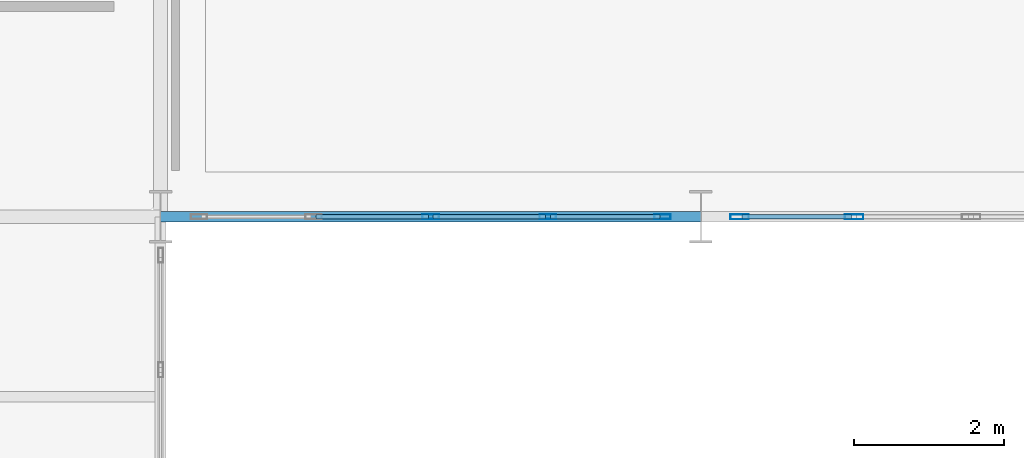
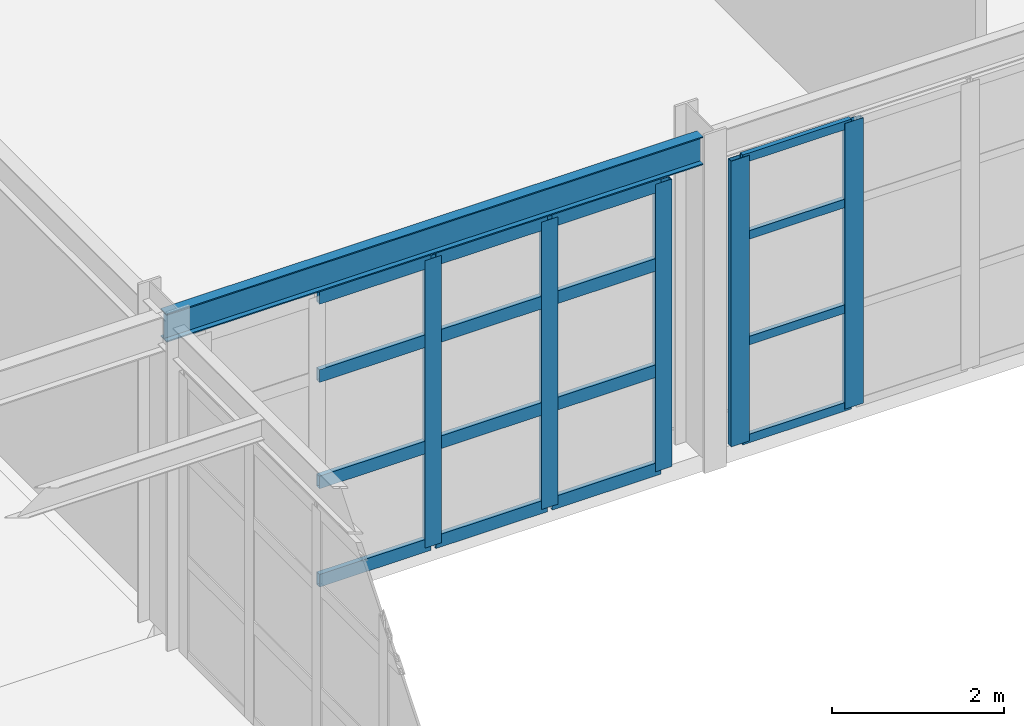
# One storey, part 29 of 126: 21 members, 1 beam, 2 elements without a shape of their own.
"""IFC4 building model written with IfcOpenShell, lengths in metres."""

from ifc_helpers import new_model, si_unit, direction, frame, origin, origin_2d, place, context, subcontext, project, spatial, hollow_rectangle, i_section, extrude, material, layer, layer_set, material_profile, profile_set, type_object, element, aggregate, save


model = new_model("IFC4")

# Units and contexts
model_context = context("Model", 3, precision=1e-05, world=origin(), true_north=direction((0.0, 1.0)))
body_context = subcontext(model_context, "Body", "Model", "MODEL_VIEW")
ifc_project = project(units=[si_unit("LENGTHUNIT", "METRE"), si_unit("AREAUNIT", "SQUARE_METRE"), si_unit("VOLUMEUNIT", "CUBIC_METRE"), si_unit("PLANEANGLEUNIT", "RADIAN"), si_unit("MASSUNIT", "GRAM", prefix="KILO")], contexts=[model_context])

# Site, building, storey
site_placement = place(None, origin())
site = spatial("IfcSite", under=ifc_project, at=site_placement, CompositionType="ELEMENT")
building_placement = place(site_placement, origin())
building = spatial("IfcBuilding", under=site, at=building_placement, Name="Solvadek Multi-Sports Hall", CompositionType="ELEMENT")
storey_placement = place(building_placement, frame((0.0, 0.0, 9.60009765625)))
storey = spatial("IfcBuildingStorey", under=building, at=storey_placement, Name="L02", CompositionType="ELEMENT", Elevation=9.60009765625)

# Curtain wall, members
ifc_material_1 = material(Name="Anodised aluminium", Category="aluminium")
ifc_layer_1 = layer(ifc_material_1, 0.159912109375, Name="Anodised aluminium")
ifc_layer_set_1 = layer_set([ifc_layer_1], Name="Anodised aluminium")
curtain_wall_type_1 = type_object("IfcCurtainWallType", Name="ENV-CW-624X408", PredefinedType="USERDEFINED", material=ifc_layer_set_1)
curtain_wall_1_placement = place(storey_placement, origin())
curtain_wall_1 = element("IfcCurtainWall", 1, at=curtain_wall_1_placement, inside=storey, type_object=curtain_wall_type_1, Name="L02 Perimeter Bay Curtain Wall #157", ObjectType="CURTAIN WALL", PredefinedType="USERDEFINED")
ifc_material_profile_1 = material_profile(ifc_material_1, hollow_rectangle(XDim=0.06494140625, YDim=0.219970703125, WallThickness=0.0048828125, at=origin_2d()), Name="ALU-M 220x65x5")
ifc_profile_set_1 = profile_set([ifc_material_profile_1], Name="Anodised aluminium")
member_type_1 = type_object("IfcMemberType", Name="ENV-CWM-04", PredefinedType="MULLION", material=ifc_profile_set_1)
member_1_placement = place(storey_placement, frame((25.199951171875, 49.199951171875, 0.0), z_axis=(0.0, 0.0, 1.0), x_axis=(0.0, 1.0, 0.0)))
member_1 = element("IfcMember", 2, at=member_1_placement, type_object=member_type_1, Name="CW-40 mullion 3", PredefinedType="MULLION", context=body_context, shape_type="SweptSolid", body=[
    extrude(hollow_rectangle(XDim=0.06494140625, YDim=0.219970703125, WallThickness=0.0048828125, at=origin_2d()), origin(), (0.0, 0.0, 1.0), 4.074951171875),
])
member_2_placement = place(storey_placement, frame((26.760009765625, 49.199951171875, 0.0), z_axis=(0.0, 0.0, 1.0), x_axis=(0.0, 1.0, 0.0)))
member_2 = element("IfcMember", 3, at=member_2_placement, type_object=member_type_1, Name="CW-40 mullion 4", PredefinedType="MULLION", context=body_context, shape_type="SweptSolid", body=[
    extrude(hollow_rectangle(XDim=0.06494140625, YDim=0.219970703125, WallThickness=0.0048828125, at=origin_2d()), origin(), (0.0, 0.0, 1.0), 4.074951171875),
])
member_3_placement = place(storey_placement, frame((28.28759765625, 49.199951171875, 0.0), z_axis=(0.0, 0.0, 1.0), x_axis=(0.0, 1.0, 0.0)))
member_3 = element("IfcMember", 4, at=member_3_placement, type_object=member_type_1, Name="CW-40 mullion 5", PredefinedType="MULLION", context=body_context, shape_type="SweptSolid", body=[
    extrude(hollow_rectangle(XDim=0.06494140625, YDim=0.219970703125, WallThickness=0.0048828125, at=origin_2d()), origin(), (0.0, 0.0, 1.0), 4.074951171875),
])

ifc_layer_2 = layer(ifc_material_1, 0.159912109375, Name="Anodised aluminium")
ifc_layer_set_2 = layer_set([ifc_layer_2], Name="Anodised aluminium")
curtain_wall_type_2 = type_object("IfcCurtainWallType", Name="ENV-CW-624X405", PredefinedType="USERDEFINED", material=ifc_layer_set_2)
curtain_wall_2_placement = place(storey_placement, origin())
curtain_wall_2 = element("IfcCurtainWall", 5, at=curtain_wall_2_placement, inside=storey, type_object=curtain_wall_type_2, Name="L02 Perimeter Bay Curtain Wall #163", ObjectType="CURTAIN WALL", PredefinedType="USERDEFINED")
ifc_material_profile_2 = material_profile(ifc_material_1, hollow_rectangle(XDim=0.070068359375, YDim=0.25, WallThickness=0.0048828125, at=origin_2d()), Name="ALU-M 250x70x5")
ifc_profile_set_2 = profile_set([ifc_material_profile_2], Name="Anodised aluminium")
member_type_2 = type_object("IfcMemberType", Name="ENV-CWM-05", PredefinedType="MULLION", material=ifc_profile_set_2)
member_4_placement = place(storey_placement, frame((29.31494140625, 49.199951171875, 0.0), z_axis=(0.0, 0.0, 1.0), x_axis=(0.0, 1.0, 0.0)))
member_4 = element("IfcMember", 6, at=member_4_placement, type_object=member_type_2, Name="CW-52 mullion 1", PredefinedType="MULLION", context=body_context, shape_type="SweptSolid", body=[
    extrude(hollow_rectangle(XDim=0.070068359375, YDim=0.25, WallThickness=0.0048828125, at=origin_2d()), origin(), (0.0, 0.0, 1.0), 4.0498046875),
])
member_5_placement = place(storey_placement, frame((30.840087890625, 49.199951171875, 0.0), z_axis=(0.0, 0.0, 1.0), x_axis=(0.0, 1.0, 0.0)))
member_5 = element("IfcMember", 7, at=member_5_placement, type_object=member_type_2, Name="CW-52 mullion 2", PredefinedType="MULLION", context=body_context, shape_type="SweptSolid", body=[
    extrude(hollow_rectangle(XDim=0.070068359375, YDim=0.25, WallThickness=0.0048828125, at=origin_2d()), origin(), (0.0, 0.0, 1.0), 4.0498046875),
])
ifc_material_profile_3 = material_profile(ifc_material_1, hollow_rectangle(XDim=0.06005859375, YDim=0.1201171875, WallThickness=0.00390625, at=origin_2d()), Name="ALU-T 120x60x4")
ifc_profile_set_3 = profile_set([ifc_material_profile_3], Name="Anodised aluminium")
member_type_3 = type_object("IfcMemberType", Name="ENV-CWT-01", PredefinedType="USERDEFINED", material=ifc_profile_set_3)
member_6_placement = place(storey_placement, frame((29.35009765625, 49.199951171875, 0.02978515625), z_axis=(1.0, 0.0, 0.0), x_axis=(0.0, 1.0, 0.0)))
member_6 = element("IfcMember", 8, at=member_6_placement, type_object=member_type_3, Name="CW-52 transom 1.1", ObjectType="TRANSOM", PredefinedType="USERDEFINED", context=body_context, shape_type="SweptSolid", body=[
    extrude(hollow_rectangle(XDim=0.06005859375, YDim=0.1201171875, WallThickness=0.00390625, at=origin_2d()), origin(), (0.0, 0.0, 1.0), 1.454833984375),
])
member_7_placement = place(storey_placement, frame((29.35009765625, 49.199951171875, 1.41796875), z_axis=(1.0, 0.0, 0.0), x_axis=(0.0, 1.0, 0.0)))
member_7 = element("IfcMember", 9, at=member_7_placement, type_object=member_type_3, Name="CW-52 transom 1.2", ObjectType="TRANSOM", PredefinedType="USERDEFINED", context=body_context, shape_type="SweptSolid", body=[
    extrude(hollow_rectangle(XDim=0.06005859375, YDim=0.1201171875, WallThickness=0.00390625, at=origin_2d()), origin(), (0.0, 0.0, 1.0), 1.454833984375),
])
member_8_placement = place(storey_placement, frame((29.35009765625, 49.199951171875, 2.916015625), z_axis=(1.0, 0.0, 0.0), x_axis=(0.0, 1.0, 0.0)))
member_8 = element("IfcMember", 10, at=member_8_placement, type_object=member_type_3, Name="CW-52 transom 1.3", ObjectType="TRANSOM", PredefinedType="USERDEFINED", context=body_context, shape_type="SweptSolid", body=[
    extrude(hollow_rectangle(XDim=0.06005859375, YDim=0.1201171875, WallThickness=0.00390625, at=origin_2d()), origin(), (0.0, 0.0, 1.0), 1.454833984375),
])
member_9_placement = place(storey_placement, frame((29.35009765625, 49.199951171875, 4.02001953125), z_axis=(1.0, 0.0, 0.0), x_axis=(0.0, 1.0, 0.0)))
member_9 = element("IfcMember", 11, at=member_9_placement, type_object=member_type_3, Name="CW-52 transom 1.4", ObjectType="TRANSOM", PredefinedType="USERDEFINED", context=body_context, shape_type="SweptSolid", body=[
    extrude(hollow_rectangle(XDim=0.06005859375, YDim=0.1201171875, WallThickness=0.00390625, at=origin_2d()), origin(), (0.0, 0.0, 1.0), 1.454833984375),
])
aggregate(curtain_wall_2, [member_4, member_5, member_6, member_7, member_8, member_9])

# Member
ifc_material_profile_4 = material_profile(ifc_material_1, hollow_rectangle(XDim=0.06494140625, YDim=0.179931640625, WallThickness=0.0048828125, at=origin_2d()), Name="ALU-T 180x65x5")
ifc_profile_set_4 = profile_set([ifc_material_profile_4], Name="Anodised aluminium")
member_type_4 = type_object("IfcMemberType", Name="ENV-CWT-04", PredefinedType="USERDEFINED", material=ifc_profile_set_4)
member_10_placement = place(storey_placement, frame((23.672607421875, 49.199951171875, 0.032470703125), z_axis=(1.0, 0.0, 0.0), x_axis=(0.0, 1.0, 0.0)))
member_10 = element("IfcMember", 12, at=member_10_placement, type_object=member_type_4, Name="CW-40 transom 2.1", ObjectType="TRANSOM", PredefinedType="USERDEFINED", context=body_context, shape_type="SweptSolid", body=[
    extrude(hollow_rectangle(XDim=0.06494140625, YDim=0.179931640625, WallThickness=0.0048828125, at=origin_2d()), origin(), (0.0, 0.0, 1.0), 1.494873046875),
])

member_11_placement = place(storey_placement, frame((23.672607421875, 49.199951171875, 1.42578125), z_axis=(1.0, 0.0, 0.0), x_axis=(0.0, 1.0, 0.0)))
member_11 = element("IfcMember", 13, at=member_11_placement, type_object=member_type_4, Name="CW-40 transom 2.2", ObjectType="TRANSOM", PredefinedType="USERDEFINED", context=body_context, shape_type="SweptSolid", body=[
    extrude(hollow_rectangle(XDim=0.06494140625, YDim=0.179931640625, WallThickness=0.0048828125, at=origin_2d()), origin(), (0.0, 0.0, 1.0), 1.494873046875),
])

member_12_placement = place(storey_placement, frame((23.672607421875, 49.199951171875, 2.933837890625), z_axis=(1.0, 0.0, 0.0), x_axis=(0.0, 1.0, 0.0)))
member_12 = element("IfcMember", 14, at=member_12_placement, type_object=member_type_4, Name="CW-40 transom 2.3", ObjectType="TRANSOM", PredefinedType="USERDEFINED", context=body_context, shape_type="SweptSolid", body=[
    extrude(hollow_rectangle(XDim=0.06494140625, YDim=0.179931640625, WallThickness=0.0048828125, at=origin_2d()), origin(), (0.0, 0.0, 1.0), 1.494873046875),
])

member_13_placement = place(storey_placement, frame((23.672607421875, 49.199951171875, 4.04248046875), z_axis=(1.0, 0.0, 0.0), x_axis=(0.0, 1.0, 0.0)))
member_13 = element("IfcMember", 15, at=member_13_placement, type_object=member_type_4, Name="CW-40 transom 2.4", ObjectType="TRANSOM", PredefinedType="USERDEFINED", context=body_context, shape_type="SweptSolid", body=[
    extrude(hollow_rectangle(XDim=0.06494140625, YDim=0.179931640625, WallThickness=0.0048828125, at=origin_2d()), origin(), (0.0, 0.0, 1.0), 1.494873046875),
])

member_14_placement = place(storey_placement, frame((25.232421875, 49.199951171875, 0.032470703125), z_axis=(1.0, 0.0, 0.0), x_axis=(0.0, 1.0, 0.0)))
member_14 = element("IfcMember", 16, at=member_14_placement, type_object=member_type_4, Name="CW-40 transom 3.1", ObjectType="TRANSOM", PredefinedType="USERDEFINED", context=body_context, shape_type="SweptSolid", body=[
    extrude(hollow_rectangle(XDim=0.06494140625, YDim=0.179931640625, WallThickness=0.0048828125, at=origin_2d()), origin(), (0.0, 0.0, 1.0), 1.4951171875),
])

member_15_placement = place(storey_placement, frame((25.232421875, 49.199951171875, 1.42578125), z_axis=(1.0, 0.0, 0.0), x_axis=(0.0, 1.0, 0.0)))
member_15 = element("IfcMember", 17, at=member_15_placement, type_object=member_type_4, Name="CW-40 transom 3.2", ObjectType="TRANSOM", PredefinedType="USERDEFINED", context=body_context, shape_type="SweptSolid", body=[
    extrude(hollow_rectangle(XDim=0.06494140625, YDim=0.179931640625, WallThickness=0.0048828125, at=origin_2d()), origin(), (0.0, 0.0, 1.0), 1.4951171875),
])

member_16_placement = place(storey_placement, frame((25.232421875, 49.199951171875, 2.933837890625), z_axis=(1.0, 0.0, 0.0), x_axis=(0.0, 1.0, 0.0)))
member_16 = element("IfcMember", 18, at=member_16_placement, type_object=member_type_4, Name="CW-40 transom 3.3", ObjectType="TRANSOM", PredefinedType="USERDEFINED", context=body_context, shape_type="SweptSolid", body=[
    extrude(hollow_rectangle(XDim=0.06494140625, YDim=0.179931640625, WallThickness=0.0048828125, at=origin_2d()), origin(), (0.0, 0.0, 1.0), 1.4951171875),
])

member_17_placement = place(storey_placement, frame((25.232421875, 49.199951171875, 4.04248046875), z_axis=(1.0, 0.0, 0.0), x_axis=(0.0, 1.0, 0.0)))
member_17 = element("IfcMember", 19, at=member_17_placement, type_object=member_type_4, Name="CW-40 transom 3.4", ObjectType="TRANSOM", PredefinedType="USERDEFINED", context=body_context, shape_type="SweptSolid", body=[
    extrude(hollow_rectangle(XDim=0.06494140625, YDim=0.179931640625, WallThickness=0.0048828125, at=origin_2d()), origin(), (0.0, 0.0, 1.0), 1.4951171875),
])

member_18_placement = place(storey_placement, frame((26.79248046875, 49.199951171875, 0.032470703125), z_axis=(1.0, 0.0, 0.0), x_axis=(0.0, 1.0, 0.0)))
member_18 = element("IfcMember", 20, at=member_18_placement, type_object=member_type_4, Name="CW-40 transom 4.1", ObjectType="TRANSOM", PredefinedType="USERDEFINED", context=body_context, shape_type="SweptSolid", body=[
    extrude(hollow_rectangle(XDim=0.06494140625, YDim=0.179931640625, WallThickness=0.0048828125, at=origin_2d()), origin(), (0.0, 0.0, 1.0), 1.46240234375),
])

member_19_placement = place(storey_placement, frame((26.79248046875, 49.199951171875, 1.42578125), z_axis=(1.0, 0.0, 0.0), x_axis=(0.0, 1.0, 0.0)))
member_19 = element("IfcMember", 21, at=member_19_placement, type_object=member_type_4, Name="CW-40 transom 4.2", ObjectType="TRANSOM", PredefinedType="USERDEFINED", context=body_context, shape_type="SweptSolid", body=[
    extrude(hollow_rectangle(XDim=0.06494140625, YDim=0.179931640625, WallThickness=0.0048828125, at=origin_2d()), origin(), (0.0, 0.0, 1.0), 1.46240234375),
])

member_20_placement = place(storey_placement, frame((26.79248046875, 49.199951171875, 2.933837890625), z_axis=(1.0, 0.0, 0.0), x_axis=(0.0, 1.0, 0.0)))
member_20 = element("IfcMember", 22, at=member_20_placement, type_object=member_type_4, Name="CW-40 transom 4.3", ObjectType="TRANSOM", PredefinedType="USERDEFINED", context=body_context, shape_type="SweptSolid", body=[
    extrude(hollow_rectangle(XDim=0.06494140625, YDim=0.179931640625, WallThickness=0.0048828125, at=origin_2d()), origin(), (0.0, 0.0, 1.0), 1.46240234375),
])

member_21_placement = place(storey_placement, frame((26.79248046875, 49.199951171875, 4.04248046875), z_axis=(1.0, 0.0, 0.0), x_axis=(0.0, 1.0, 0.0)))
member_21 = element("IfcMember", 23, at=member_21_placement, type_object=member_type_4, Name="CW-40 transom 4.4", ObjectType="TRANSOM", PredefinedType="USERDEFINED", context=body_context, shape_type="SweptSolid", body=[
    extrude(hollow_rectangle(XDim=0.06494140625, YDim=0.179931640625, WallThickness=0.0048828125, at=origin_2d()), origin(), (0.0, 0.0, 1.0), 1.46240234375),
])

aggregate(curtain_wall_1, [member_1, member_2, member_3, member_10, member_11, member_12, member_13, member_14, member_15, member_16, member_17, member_18, member_19, member_20, member_21])

# Beam
ifc_material_2 = material(Name="Steel E350 (350 MPa)", Category="steel")
ifc_material_profile_5 = material_profile(ifc_material_2, i_section(OverallWidth=0.139892578125, OverallDepth=0.39990234375, WebThickness=0.0087890625, FlangeThickness=0.01611328125, at=origin_2d()), Name="ISMB 400")
ifc_profile_set_5 = profile_set([ifc_material_profile_5], Name="Steel E350 (350 MPa)")
beam_type = type_object("IfcBeamType", Name="STR-BM-ISMB400", PredefinedType="BEAM", material=ifc_profile_set_5)
beam_placement = place(storey_placement, frame((21.60009765625, 49.199951171875, 4.35986328125), z_axis=(1.0, 0.0, 0.0), x_axis=(0.0, 1.0, 0.0)))
element("IfcBeam", 24, at=beam_placement, inside=storey, type_object=beam_type, Name="L02 Girder B-10 #1368", PredefinedType="BEAM", context=body_context, shape_type="SweptSolid", body=[
    extrude(i_section(OverallWidth=0.139892578125, OverallDepth=0.39990234375, WebThickness=0.0087890625, FlangeThickness=0.01611328125, at=origin_2d()), origin(), (0.0, 0.0, 1.0), 7.199951171875),
])

save(model, "model.ifc")
